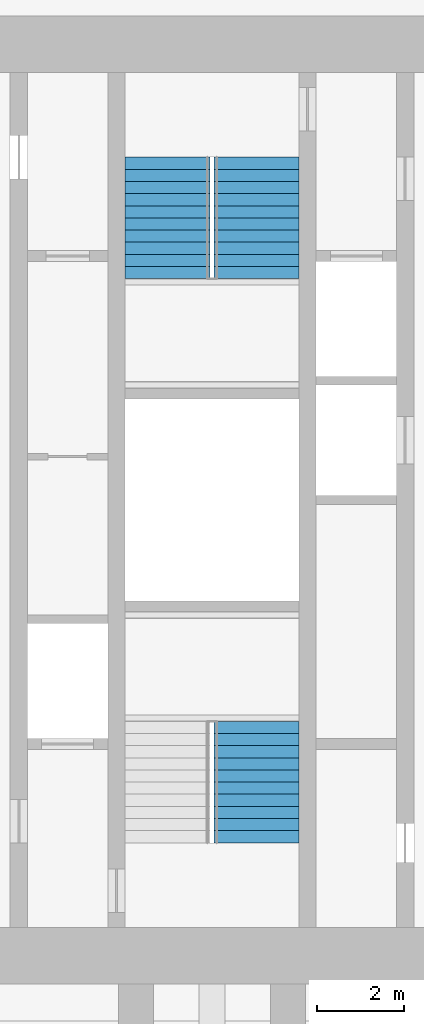
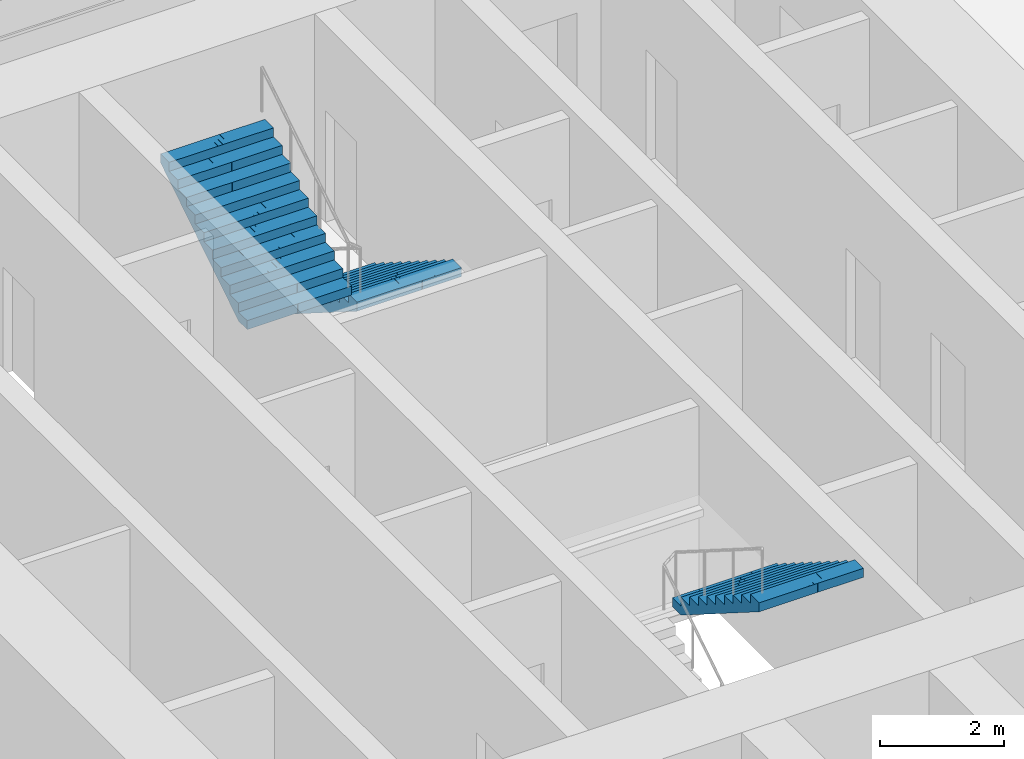
# One storey, part 14 of 15: 3 stair flights, 2 elements without a shape of their own.
"""IFC4 building model written with IfcOpenShell, lengths in metres."""

import ifcopenshell
import ifcopenshell.guid

model = None  # the IFC model being written
_history = None  # IfcOwnerHistory: only IFC2X3 demands one
_inside = {}  # id of a spatial element -> (the spatial element, [elements in it])
_under = {}  # id of a project, library or spatial element -> (it, [spatial elements below it])
_declared = {}  # id of a project -> (the project, [libraries it declares])
_typed = {}  # id of a type object -> (the type object, [elements of that type])
_made_of = {}  # id of a material, layer set ... -> (it, [elements and type objects made of it])


def new_model(schema):
    """Start an empty IFC model of exactly this schema.

    Asked for "IFC4X3", IfcOpenShell would pick the latest addendum, in which some entities
    have other attributes; the version numbers below select the first issue.
    IFC2X3 requires an IfcOwnerHistory on every rooted entity: one is made here for all.
    """
    global model, _history
    if schema == "IFC4X3":
        model = ifcopenshell.file(schema_version=(4, 3, 0, 0))
    else:
        model = ifcopenshell.file(schema=schema)
    _inside.clear()
    _under.clear()
    _declared.clear()
    _typed.clear()
    _made_of.clear()
    _history = None
    if model.schema == "IFC2X3":
        org = make("IfcOrganization", Name="unknown")
        user = make(
            "IfcPersonAndOrganization",
            ThePerson=make("IfcPerson", FamilyName="unknown"),
            TheOrganization=org,
        )
        app = make(
            "IfcApplication",
            ApplicationDeveloper=org,
            Version="unknown",
            ApplicationFullName="unknown",
            ApplicationIdentifier="unknown",
        )
        _history = make(
            "IfcOwnerHistory",
            OwningUser=user,
            OwningApplication=app,
            ChangeAction="ADDED",
            CreationDate=0,
        )
    return model


def make(cls, **values):
    """One entity of the class cls with the attributes given. An attribute that is None is left unset."""
    return model.create_entity(
        cls, **{name: value for name, value in values.items() if value is not None}
    )


def rooted(cls, **values):
    """An entity with a GlobalId (a new one), such as an element, a storey or a relation."""
    return make(cls, GlobalId=ifcopenshell.guid.new(), OwnerHistory=_history, **values)


def si_unit(unit_type, name, prefix=None):
    """IfcSIUnit, for example si_unit("LENGTHUNIT", "METRE", prefix="MILLI")."""
    return make("IfcSIUnit", UnitType=unit_type, Prefix=prefix, Name=name)


def assignment(units):
    """IfcUnitAssignment: the units of a project."""
    return None if units is None else make("IfcUnitAssignment", Units=units)


def point(xyz):
    """IfcCartesianPoint."""
    return None if xyz is None else make("IfcCartesianPoint", Coordinates=xyz)


def direction(xyz):
    """IfcDirection."""
    return None if xyz is None else make("IfcDirection", DirectionRatios=xyz)


def frame(location, z_axis=None, x_axis=None):
    """IfcAxis2Placement3D, a coordinate frame: its origin and axes. An axis left out is left unset."""
    return make(
        "IfcAxis2Placement3D",
        Location=point(location),
        Axis=direction(z_axis),
        RefDirection=direction(x_axis),
    )


def origin():
    """The frame at (0, 0, 0) with its axes left unset."""
    return frame((0.0, 0.0, 0.0))


def place(relative_to, where):
    """IfcLocalPlacement: puts the frame where relative to a parent placement (None: the world)."""
    return make(
        "IfcLocalPlacement", PlacementRelTo=relative_to, RelativePlacement=where
    )


def context(
    kind, dimensions, precision=None, world=None, true_north=None, identifier=None
):
    """IfcGeometricRepresentationContext, for example the 3D "Model" context."""
    return make(
        "IfcGeometricRepresentationContext",
        ContextIdentifier=identifier,
        ContextType=kind,
        CoordinateSpaceDimension=dimensions,
        Precision=precision,
        WorldCoordinateSystem=world,
        TrueNorth=true_north,
    )


def subcontext(parent, identifier, kind, view, scale=None):
    """IfcGeometricRepresentationSubContext, for example "Body" below "Model"."""
    return make(
        "IfcGeometricRepresentationSubContext",
        ContextIdentifier=identifier,
        ContextType=kind,
        ParentContext=parent,
        TargetScale=scale,
        TargetView=view,
    )


def project(units=None, contexts=None):
    """IfcProject with its units and contexts."""
    return rooted(
        "IfcProject",
        Name="project",
        RepresentationContexts=contexts,
        UnitsInContext=assignment(units),
    )


def spatial(cls, under=None, at=None, **own):
    """A site, building, storey or space (cls), placed at a placement, below another one or the project."""
    s = rooted(cls, ObjectPlacement=at, **own)
    if under is not None:
        _under.setdefault(under.id(), (under, []))[1].append(s)
    return s


def polyline(points):
    """IfcPolyline through the points."""
    return make("IfcPolyline", Points=[point(p) for p in points])


def outline(outer, holes=None, kind="AREA"):
    """IfcArbitraryClosedProfileDef: a profile drawn as a closed curve; with holes, ...WithVoids."""
    if holes is None:
        return make("IfcArbitraryClosedProfileDef", ProfileType=kind, OuterCurve=outer)
    return make(
        "IfcArbitraryProfileDefWithVoids",
        ProfileType=kind,
        OuterCurve=outer,
        InnerCurves=holes,
    )


def extrude(swept, where, along, depth):
    """IfcExtrudedAreaSolid: the profile swept, set in the frame where, extruded along a direction by depth."""
    return make(
        "IfcExtrudedAreaSolid",
        SweptArea=swept,
        Position=where,
        ExtrudedDirection=direction(along),
        Depth=depth,
    )


def shape(context_of_items, identifier, shape_type, items):
    """IfcShapeRepresentation: the items that make up one representation, for example the "Body"."""
    return make(
        "IfcShapeRepresentation",
        ContextOfItems=context_of_items,
        RepresentationIdentifier=identifier,
        RepresentationType=shape_type,
        Items=items,
    )


def material(Name=None, Category=None):
    """IfcMaterial."""
    return make("IfcMaterial", Name=Name, Category=Category)


def made_of(thing, what):
    """Note that an element or type object is made of a material, layer set ...; save() writes the relation."""
    if what is not None:
        _made_of.setdefault(what.id(), (what, []))[1].append(thing)
    return thing


def type_object(cls, material=None, **own):
    """A type object (cls), such as IfcWallType, which elements share."""
    return made_of(rooted(cls, **own), material)


def element(
    cls,
    number,
    at=None,
    inside=None,
    cuts=None,
    type_object=None,
    material=None,
    context=None,
    identifier="Body",
    shape_type=None,
    held_by="IfcProductDefinitionShape",
    body=None,
    shapes=None,
    **own,
):
    """One element of the class cls, such as IfcWall. Its Tag is "e" and its number.

    at: its placement. inside: the storey or other place that contains it. cuts: it is an
    opening in that element (IfcRelVoidsElement). A single representation is given by context,
    identifier, shape_type and body (its items); several are given by shapes. held_by: the class
    of the entity that holds the representations. save() writes the other relations.
    """
    e = rooted(cls, Tag="e%d" % number, ObjectPlacement=at, **own)
    if body is not None:
        shapes = [shape(context, identifier, shape_type, body)]
    if shapes is not None:
        e.Representation = make(held_by, Representations=shapes)
    if inside is not None:
        _inside.setdefault(inside.id(), (inside, []))[1].append(e)
    if cuts is not None:
        rooted(
            "IfcRelVoidsElement", RelatingBuildingElement=cuts, RelatedOpeningElement=e
        )
    if type_object is not None:
        _typed.setdefault(type_object.id(), (type_object, []))[1].append(e)
    return made_of(e, material)


def aggregate(whole, parts):
    """IfcRelAggregates: a whole, such as a stair, and the parts it consists of."""
    return rooted("IfcRelAggregates", RelatingObject=whole, RelatedObjects=parts)


def save(model, path):
    """Write the relations noted so far, then the file.

    IfcRelAggregates (storeys below a building ...), IfcRelContainedInSpatialStructure (elements
    in a storey), IfcRelDefinesByType, IfcRelAssociatesMaterial and IfcRelDeclares: one each for
    every whole, place, type object, material and project.
    """
    for whole, parts in _under.values():
        aggregate(whole, parts)
    for where, things in _inside.values():
        rooted(
            "IfcRelContainedInSpatialStructure",
            RelatedElements=things,
            RelatingStructure=where,
        )
    for kind, things in _typed.values():
        rooted("IfcRelDefinesByType", RelatedObjects=things, RelatingType=kind)
    for what, things in _made_of.values():
        rooted("IfcRelAssociatesMaterial", RelatedObjects=things, RelatingMaterial=what)
    for by, libraries in _declared.values():
        rooted("IfcRelDeclares", RelatingContext=by, RelatedDefinitions=libraries)
    model.write(path)


model = new_model("IFC4")

# Units and contexts
model_context = context("Model", 3, precision=1e-05, world=origin(), true_north=direction((0.0, 1.0)))
body_context = subcontext(model_context, "Body", "Model", "MODEL_VIEW")
ifc_project = project(units=[si_unit("LENGTHUNIT", "METRE"), si_unit("AREAUNIT", "SQUARE_METRE"), si_unit("VOLUMEUNIT", "CUBIC_METRE"), si_unit("PLANEANGLEUNIT", "RADIAN"), si_unit("MASSUNIT", "GRAM", prefix="KILO")], contexts=[model_context])

# Site, building, storey
site_placement = place(None, origin())
site = spatial("IfcSite", under=ifc_project, at=site_placement, CompositionType="ELEMENT")
building_placement = place(site_placement, origin())
building = spatial("IfcBuilding", under=site, at=building_placement, Name="Mizan Broadcast Tower", CompositionType="ELEMENT")
storey_placement = place(building_placement, frame((0.0, 0.0, 279.0)))
storey = spatial("IfcBuildingStorey", under=building, at=storey_placement, Name="L66", CompositionType="ELEMENT", Elevation=279.0)

# Stair, stair flight
ifc_material_1 = material(Name="Concrete C40/50", Category="concrete")
stair_type = type_object("IfcStairType", Name="EXIT STAIR", PredefinedType="HALF_TURN_STAIR", material=ifc_material_1)
stair_1_placement = place(storey_placement, origin())
stair_1 = element("IfcStair", 1, at=stair_1_placement, inside=storey, type_object=stair_type, Name="Stair A L66", PredefinedType="HALF_TURN_STAIR")
ifc_material_2 = material(Name="Concrete C40/50", Category="concrete")
stair_flight_type = type_object("IfcStairFlightType", Name="EXIT STAIR FLIGHT", PredefinedType="STRAIGHT", material=ifc_material_2)
stair_flight_1_placement = place(storey_placement, frame((1.02490234375, -5.10009765625, 1.949951171875), z_axis=(0.0, 0.0, 1.0), x_axis=(0.0, -1.0, 0.0)))
stair_flight_1 = element("IfcStairFlight", 2, at=stair_flight_1_placement, type_object=stair_flight_type, Name="A flight 2", NumberOfRisers=11, NumberOfTreads=10, PredefinedType="STRAIGHT", RiserHeight=0.177272727, TreadLength=0.28, context=body_context, shape_type="SweptSolid", body=[
    extrude(outline(polyline([(0.0, 0.0), (0.0, 0.17724609375), (0.280029296875, 0.17724609375), (0.280029296875, 0.3544921875), (0.56005859375, 0.3544921875), (0.56005859375, 0.53173828125), (0.840087890625, 0.53173828125), (0.840087890625, 0.708984375), (1.1201171875, 0.708984375), (1.1201171875, 0.886474609375), (1.39990234375, 0.886474609375), (1.39990234375, 1.063720703125), (1.679931640625, 1.063720703125), (1.679931640625, 1.240966796875), (1.9599609375, 1.240966796875), (1.9599609375, 1.418212890625), (2.239990234375, 1.418212890625), (2.239990234375, 1.595458984375), (2.52001953125, 1.595458984375), (2.52001953125, 1.772705078125), (2.800048828125, 1.772705078125), (2.800048828125, 1.949951171875), (2.800048828125, 1.59521484375), (0.2802734375, 0.0), (0.0, 0.0)])), frame((0.0, 0.97509765625, 0.0), z_axis=(0.0, -1.0, 0.0), x_axis=(1.0, 0.0, 0.0)), (0.0, 0.0, 1.0), 0.4873046875),
    extrude(outline(polyline([(0.0, 0.0), (0.0, 0.17724609375), (0.280029296875, 0.17724609375), (0.280029296875, 0.3544921875), (0.56005859375, 0.3544921875), (0.56005859375, 0.53173828125), (0.840087890625, 0.53173828125), (0.840087890625, 0.708984375), (1.1201171875, 0.708984375), (1.1201171875, 0.886474609375), (1.39990234375, 0.886474609375), (1.39990234375, 1.063720703125), (1.679931640625, 1.063720703125), (1.679931640625, 1.240966796875), (1.9599609375, 1.240966796875), (1.9599609375, 1.418212890625), (2.239990234375, 1.418212890625), (2.239990234375, 1.595458984375), (2.52001953125, 1.595458984375), (2.52001953125, 1.772705078125), (2.800048828125, 1.772705078125), (2.800048828125, 1.949951171875), (2.800048828125, 1.59521484375), (0.2802734375, 0.0), (0.0, 0.0)])), frame((0.0, 0.4873046875, 0.0), z_axis=(0.0, -1.0, 0.0), x_axis=(1.0, 0.0, 0.0)), (0.0, 0.0, 1.0), 0.2431640625),
    extrude(outline(polyline([(0.0, 0.0), (0.0, 0.17724609375), (0.280029296875, 0.17724609375), (0.280029296875, 0.3544921875), (0.56005859375, 0.3544921875), (0.56005859375, 0.53173828125), (0.840087890625, 0.53173828125), (0.840087890625, 0.708984375), (1.1201171875, 0.708984375), (1.1201171875, 0.886474609375), (1.39990234375, 0.886474609375), (1.39990234375, 1.063720703125), (1.679931640625, 1.063720703125), (1.679931640625, 1.240966796875), (1.9599609375, 1.240966796875), (1.9599609375, 1.418212890625), (2.239990234375, 1.418212890625), (2.239990234375, 1.595458984375), (2.52001953125, 1.595458984375), (2.52001953125, 1.772705078125), (2.800048828125, 1.772705078125), (2.800048828125, 1.949951171875), (2.800048828125, 1.59521484375), (0.2802734375, 0.0), (0.0, 0.0)])), frame((0.0, 0.24365234375, 0.0), z_axis=(0.0, -1.0, 0.0), x_axis=(1.0, 0.0, 0.0)), (0.0, 0.0, 1.0), 0.121337890625),
    extrude(outline(polyline([(0.0, 0.0), (0.0, 0.17724609375), (0.280029296875, 0.17724609375), (0.280029296875, 0.3544921875), (0.56005859375, 0.3544921875), (0.56005859375, 0.53173828125), (0.840087890625, 0.53173828125), (0.840087890625, 0.708984375), (1.1201171875, 0.708984375), (1.1201171875, 0.886474609375), (1.39990234375, 0.886474609375), (1.39990234375, 1.063720703125), (1.679931640625, 1.063720703125), (1.679931640625, 1.240966796875), (1.9599609375, 1.240966796875), (1.9599609375, 1.418212890625), (2.239990234375, 1.418212890625), (2.239990234375, 1.595458984375), (2.52001953125, 1.595458984375), (2.52001953125, 1.772705078125), (2.800048828125, 1.772705078125), (2.800048828125, 1.949951171875), (2.800048828125, 1.59521484375), (0.2802734375, 0.0), (0.0, 0.0)])), frame((0.0, 0.121826171875, 0.0), z_axis=(0.0, -1.0, 0.0), x_axis=(1.0, 0.0, 0.0)), (0.0, 0.0, 1.0), 0.060546875),
    extrude(outline(polyline([(0.0, 0.0), (0.0, 0.17724609375), (0.280029296875, 0.17724609375), (0.280029296875, 0.3544921875), (0.56005859375, 0.3544921875), (0.56005859375, 0.53173828125), (0.840087890625, 0.53173828125), (0.840087890625, 0.708984375), (1.1201171875, 0.708984375), (1.1201171875, 0.886474609375), (1.39990234375, 0.886474609375), (1.39990234375, 1.063720703125), (1.679931640625, 1.063720703125), (1.679931640625, 1.240966796875), (1.9599609375, 1.240966796875), (1.9599609375, 1.418212890625), (2.239990234375, 1.418212890625), (2.239990234375, 1.595458984375), (2.52001953125, 1.595458984375), (2.52001953125, 1.772705078125), (2.800048828125, 1.772705078125), (2.800048828125, 1.949951171875), (2.800048828125, 1.59521484375), (0.2802734375, 0.0), (0.0, 0.0)])), frame((0.0, 0.060791015625, 0.0), z_axis=(0.0, -1.0, 0.0), x_axis=(1.0, 0.0, 0.0)), (0.0, 0.0, 1.0), 0.030029296875),
    extrude(outline(polyline([(0.0, 0.0), (0.0, 0.17724609375), (0.280029296875, 0.17724609375), (0.280029296875, 0.3544921875), (0.56005859375, 0.3544921875), (0.56005859375, 0.53173828125), (0.840087890625, 0.53173828125), (0.840087890625, 0.708984375), (1.1201171875, 0.708984375), (1.1201171875, 0.886474609375), (1.39990234375, 0.886474609375), (1.39990234375, 1.063720703125), (1.679931640625, 1.063720703125), (1.679931640625, 1.240966796875), (1.9599609375, 1.240966796875), (1.9599609375, 1.418212890625), (2.239990234375, 1.418212890625), (2.239990234375, 1.595458984375), (2.52001953125, 1.595458984375), (2.52001953125, 1.772705078125), (2.800048828125, 1.772705078125), (2.800048828125, 1.949951171875), (2.800048828125, 1.59521484375), (0.2802734375, 0.0), (0.0, 0.0)])), frame((0.0, 0.0302734375, 0.0), z_axis=(0.0, -1.0, 0.0), x_axis=(1.0, 0.0, 0.0)), (0.0, 0.0, 1.0), 0.060302734375),
    extrude(outline(polyline([(0.0, 0.0), (0.0, 0.17724609375), (0.280029296875, 0.17724609375), (0.280029296875, 0.3544921875), (0.56005859375, 0.3544921875), (0.56005859375, 0.53173828125), (0.840087890625, 0.53173828125), (0.840087890625, 0.708984375), (1.1201171875, 0.708984375), (1.1201171875, 0.886474609375), (1.39990234375, 0.886474609375), (1.39990234375, 1.063720703125), (1.679931640625, 1.063720703125), (1.679931640625, 1.240966796875), (1.9599609375, 1.240966796875), (1.9599609375, 1.418212890625), (2.239990234375, 1.418212890625), (2.239990234375, 1.595458984375), (2.52001953125, 1.595458984375), (2.52001953125, 1.772705078125), (2.800048828125, 1.772705078125), (2.800048828125, 1.949951171875), (2.800048828125, 1.59521484375), (0.2802734375, 0.0), (0.0, 0.0)])), frame((0.0, -0.030517578125, 0.0), z_axis=(0.0, -1.0, 0.0), x_axis=(1.0, 0.0, 0.0)), (0.0, 0.0, 1.0), 0.030029296875),
    extrude(outline(polyline([(0.0, 0.0), (0.0, 0.17724609375), (0.280029296875, 0.17724609375), (0.280029296875, 0.3544921875), (0.56005859375, 0.3544921875), (0.56005859375, 0.53173828125), (0.840087890625, 0.53173828125), (0.840087890625, 0.708984375), (1.1201171875, 0.708984375), (1.1201171875, 0.886474609375), (1.39990234375, 0.886474609375), (1.39990234375, 1.063720703125), (1.679931640625, 1.063720703125), (1.679931640625, 1.240966796875), (1.9599609375, 1.240966796875), (1.9599609375, 1.418212890625), (2.239990234375, 1.418212890625), (2.239990234375, 1.595458984375), (2.52001953125, 1.595458984375), (2.52001953125, 1.772705078125), (2.800048828125, 1.772705078125), (2.800048828125, 1.949951171875), (2.800048828125, 1.59521484375), (0.2802734375, 0.0), (0.0, 0.0)])), frame((0.0, -0.06103515625, 0.0), z_axis=(0.0, -1.0, 0.0), x_axis=(1.0, 0.0, 0.0)), (0.0, 0.0, 1.0), 0.060546875),
    extrude(outline(polyline([(0.0, 0.0), (0.0, 0.17724609375), (0.280029296875, 0.17724609375), (0.280029296875, 0.3544921875), (0.56005859375, 0.3544921875), (0.56005859375, 0.53173828125), (0.840087890625, 0.53173828125), (0.840087890625, 0.708984375), (1.1201171875, 0.708984375), (1.1201171875, 0.886474609375), (1.39990234375, 0.886474609375), (1.39990234375, 1.063720703125), (1.679931640625, 1.063720703125), (1.679931640625, 1.240966796875), (1.9599609375, 1.240966796875), (1.9599609375, 1.418212890625), (2.239990234375, 1.418212890625), (2.239990234375, 1.595458984375), (2.52001953125, 1.595458984375), (2.52001953125, 1.772705078125), (2.800048828125, 1.772705078125), (2.800048828125, 1.949951171875), (2.800048828125, 1.59521484375), (0.2802734375, 0.0), (0.0, 0.0)])), frame((0.0, -0.1220703125, 0.0), z_axis=(0.0, -1.0, 0.0), x_axis=(1.0, 0.0, 0.0)), (0.0, 0.0, 1.0), 0.121337890625),
    extrude(outline(polyline([(0.0, 0.0), (0.0, 0.17724609375), (0.280029296875, 0.17724609375), (0.280029296875, 0.3544921875), (0.56005859375, 0.3544921875), (0.56005859375, 0.53173828125), (0.840087890625, 0.53173828125), (0.840087890625, 0.708984375), (1.1201171875, 0.708984375), (1.1201171875, 0.886474609375), (1.39990234375, 0.886474609375), (1.39990234375, 1.063720703125), (1.679931640625, 1.063720703125), (1.679931640625, 1.240966796875), (1.9599609375, 1.240966796875), (1.9599609375, 1.418212890625), (2.239990234375, 1.418212890625), (2.239990234375, 1.595458984375), (2.52001953125, 1.595458984375), (2.52001953125, 1.772705078125), (2.800048828125, 1.772705078125), (2.800048828125, 1.949951171875), (2.800048828125, 1.59521484375), (0.2802734375, 0.0), (0.0, 0.0)])), frame((0.0, -0.243896484375, 0.0), z_axis=(0.0, -1.0, 0.0), x_axis=(1.0, 0.0, 0.0)), (0.0, 0.0, 1.0), 0.2431640625),
    extrude(outline(polyline([(0.0, 0.0), (0.0, 0.17724609375), (0.280029296875, 0.17724609375), (0.280029296875, 0.3544921875), (0.56005859375, 0.3544921875), (0.56005859375, 0.53173828125), (0.840087890625, 0.53173828125), (0.840087890625, 0.708984375), (1.1201171875, 0.708984375), (1.1201171875, 0.886474609375), (1.39990234375, 0.886474609375), (1.39990234375, 1.063720703125), (1.679931640625, 1.063720703125), (1.679931640625, 1.240966796875), (1.9599609375, 1.240966796875), (1.9599609375, 1.418212890625), (2.239990234375, 1.418212890625), (2.239990234375, 1.595458984375), (2.52001953125, 1.595458984375), (2.52001953125, 1.772705078125), (2.800048828125, 1.772705078125), (2.800048828125, 1.949951171875), (2.800048828125, 1.59521484375), (0.2802734375, 0.0), (0.0, 0.0)])), frame((0.0, -0.487548828125, 0.0), z_axis=(0.0, -1.0, 0.0), x_axis=(1.0, 0.0, 0.0)), (0.0, 0.0, 1.0), 0.4873046875),
])
aggregate(stair_1, [stair_flight_1])

# Stair, stair flights
stair_2_placement = place(storey_placement, origin())
stair_2 = element("IfcStair", 3, at=stair_2_placement, inside=storey, type_object=stair_type, Name="Stair B L66", PredefinedType="HALF_TURN_STAIR")
stair_flight_2_placement = place(storey_placement, frame((1.02490234375, 7.89990234375, 0.0), z_axis=(0.0, 0.0, 1.0), x_axis=(0.0, -1.0, 0.0)))
stair_flight_2 = element("IfcStairFlight", 4, at=stair_flight_2_placement, type_object=stair_flight_type, Name="B flight 1", NumberOfRisers=11, NumberOfTreads=10, PredefinedType="STRAIGHT", RiserHeight=0.177272727, TreadLength=0.28, context=body_context, shape_type="SweptSolid", body=[
    extrude(outline(polyline([(0.0, 0.0), (0.0, 0.17724609375), (0.280029296875, 0.17724609375), (0.280029296875, 0.3544921875), (0.56005859375, 0.3544921875), (0.56005859375, 0.53173828125), (0.840087890625, 0.53173828125), (0.840087890625, 0.708984375), (1.1201171875, 0.708984375), (1.1201171875, 0.886474609375), (1.39990234375, 0.886474609375), (1.39990234375, 1.063720703125), (1.679931640625, 1.063720703125), (1.679931640625, 1.240966796875), (1.9599609375, 1.240966796875), (1.9599609375, 1.418212890625), (2.239990234375, 1.418212890625), (2.239990234375, 1.595458984375), (2.52001953125, 1.595458984375), (2.52001953125, 1.772705078125), (2.800048828125, 1.772705078125), (2.800048828125, 1.949951171875), (2.800048828125, 1.59521484375), (0.2802734375, 0.0), (0.0, 0.0)])), frame((0.0, 0.97509765625, 0.0), z_axis=(0.0, -1.0, 0.0), x_axis=(1.0, 0.0, 0.0)), (0.0, 0.0, 1.0), 0.4873046875),
    extrude(outline(polyline([(0.0, 0.0), (0.0, 0.17724609375), (0.280029296875, 0.17724609375), (0.280029296875, 0.3544921875), (0.56005859375, 0.3544921875), (0.56005859375, 0.53173828125), (0.840087890625, 0.53173828125), (0.840087890625, 0.708984375), (1.1201171875, 0.708984375), (1.1201171875, 0.886474609375), (1.39990234375, 0.886474609375), (1.39990234375, 1.063720703125), (1.679931640625, 1.063720703125), (1.679931640625, 1.240966796875), (1.9599609375, 1.240966796875), (1.9599609375, 1.418212890625), (2.239990234375, 1.418212890625), (2.239990234375, 1.595458984375), (2.52001953125, 1.595458984375), (2.52001953125, 1.772705078125), (2.800048828125, 1.772705078125), (2.800048828125, 1.949951171875), (2.800048828125, 1.59521484375), (0.2802734375, 0.0), (0.0, 0.0)])), frame((0.0, 0.4873046875, 0.0), z_axis=(0.0, -1.0, 0.0), x_axis=(1.0, 0.0, 0.0)), (0.0, 0.0, 1.0), 0.2431640625),
    extrude(outline(polyline([(0.0, 0.0), (0.0, 0.17724609375), (0.280029296875, 0.17724609375), (0.280029296875, 0.3544921875), (0.56005859375, 0.3544921875), (0.56005859375, 0.53173828125), (0.840087890625, 0.53173828125), (0.840087890625, 0.708984375), (1.1201171875, 0.708984375), (1.1201171875, 0.886474609375), (1.39990234375, 0.886474609375), (1.39990234375, 1.063720703125), (1.679931640625, 1.063720703125), (1.679931640625, 1.240966796875), (1.9599609375, 1.240966796875), (1.9599609375, 1.418212890625), (2.239990234375, 1.418212890625), (2.239990234375, 1.595458984375), (2.52001953125, 1.595458984375), (2.52001953125, 1.772705078125), (2.800048828125, 1.772705078125), (2.800048828125, 1.949951171875), (2.800048828125, 1.59521484375), (0.2802734375, 0.0), (0.0, 0.0)])), frame((0.0, 0.24365234375, 0.0), z_axis=(0.0, -1.0, 0.0), x_axis=(1.0, 0.0, 0.0)), (0.0, 0.0, 1.0), 0.121337890625),
    extrude(outline(polyline([(0.0, 0.0), (0.0, 0.17724609375), (0.280029296875, 0.17724609375), (0.280029296875, 0.3544921875), (0.56005859375, 0.3544921875), (0.56005859375, 0.53173828125), (0.840087890625, 0.53173828125), (0.840087890625, 0.708984375), (1.1201171875, 0.708984375), (1.1201171875, 0.886474609375), (1.39990234375, 0.886474609375), (1.39990234375, 1.063720703125), (1.679931640625, 1.063720703125), (1.679931640625, 1.240966796875), (1.9599609375, 1.240966796875), (1.9599609375, 1.418212890625), (2.239990234375, 1.418212890625), (2.239990234375, 1.595458984375), (2.52001953125, 1.595458984375), (2.52001953125, 1.772705078125), (2.800048828125, 1.772705078125), (2.800048828125, 1.949951171875), (2.800048828125, 1.59521484375), (0.2802734375, 0.0), (0.0, 0.0)])), frame((0.0, 0.121826171875, 0.0), z_axis=(0.0, -1.0, 0.0), x_axis=(1.0, 0.0, 0.0)), (0.0, 0.0, 1.0), 0.060546875),
    extrude(outline(polyline([(0.0, 0.0), (0.0, 0.17724609375), (0.280029296875, 0.17724609375), (0.280029296875, 0.3544921875), (0.56005859375, 0.3544921875), (0.56005859375, 0.53173828125), (0.840087890625, 0.53173828125), (0.840087890625, 0.708984375), (1.1201171875, 0.708984375), (1.1201171875, 0.886474609375), (1.39990234375, 0.886474609375), (1.39990234375, 1.063720703125), (1.679931640625, 1.063720703125), (1.679931640625, 1.240966796875), (1.9599609375, 1.240966796875), (1.9599609375, 1.418212890625), (2.239990234375, 1.418212890625), (2.239990234375, 1.595458984375), (2.52001953125, 1.595458984375), (2.52001953125, 1.772705078125), (2.800048828125, 1.772705078125), (2.800048828125, 1.949951171875), (2.800048828125, 1.59521484375), (0.2802734375, 0.0), (0.0, 0.0)])), frame((0.0, 0.060791015625, 0.0), z_axis=(0.0, -1.0, 0.0), x_axis=(1.0, 0.0, 0.0)), (0.0, 0.0, 1.0), 0.030029296875),
    extrude(outline(polyline([(0.0, 0.0), (0.0, 0.17724609375), (0.280029296875, 0.17724609375), (0.280029296875, 0.3544921875), (0.56005859375, 0.3544921875), (0.56005859375, 0.53173828125), (0.840087890625, 0.53173828125), (0.840087890625, 0.708984375), (1.1201171875, 0.708984375), (1.1201171875, 0.886474609375), (1.39990234375, 0.886474609375), (1.39990234375, 1.063720703125), (1.679931640625, 1.063720703125), (1.679931640625, 1.240966796875), (1.9599609375, 1.240966796875), (1.9599609375, 1.418212890625), (2.239990234375, 1.418212890625), (2.239990234375, 1.595458984375), (2.52001953125, 1.595458984375), (2.52001953125, 1.772705078125), (2.800048828125, 1.772705078125), (2.800048828125, 1.949951171875), (2.800048828125, 1.59521484375), (0.2802734375, 0.0), (0.0, 0.0)])), frame((0.0, 0.0302734375, 0.0), z_axis=(0.0, -1.0, 0.0), x_axis=(1.0, 0.0, 0.0)), (0.0, 0.0, 1.0), 0.060302734375),
    extrude(outline(polyline([(0.0, 0.0), (0.0, 0.17724609375), (0.280029296875, 0.17724609375), (0.280029296875, 0.3544921875), (0.56005859375, 0.3544921875), (0.56005859375, 0.53173828125), (0.840087890625, 0.53173828125), (0.840087890625, 0.708984375), (1.1201171875, 0.708984375), (1.1201171875, 0.886474609375), (1.39990234375, 0.886474609375), (1.39990234375, 1.063720703125), (1.679931640625, 1.063720703125), (1.679931640625, 1.240966796875), (1.9599609375, 1.240966796875), (1.9599609375, 1.418212890625), (2.239990234375, 1.418212890625), (2.239990234375, 1.595458984375), (2.52001953125, 1.595458984375), (2.52001953125, 1.772705078125), (2.800048828125, 1.772705078125), (2.800048828125, 1.949951171875), (2.800048828125, 1.59521484375), (0.2802734375, 0.0), (0.0, 0.0)])), frame((0.0, -0.030517578125, 0.0), z_axis=(0.0, -1.0, 0.0), x_axis=(1.0, 0.0, 0.0)), (0.0, 0.0, 1.0), 0.030029296875),
    extrude(outline(polyline([(0.0, 0.0), (0.0, 0.17724609375), (0.280029296875, 0.17724609375), (0.280029296875, 0.3544921875), (0.56005859375, 0.3544921875), (0.56005859375, 0.53173828125), (0.840087890625, 0.53173828125), (0.840087890625, 0.708984375), (1.1201171875, 0.708984375), (1.1201171875, 0.886474609375), (1.39990234375, 0.886474609375), (1.39990234375, 1.063720703125), (1.679931640625, 1.063720703125), (1.679931640625, 1.240966796875), (1.9599609375, 1.240966796875), (1.9599609375, 1.418212890625), (2.239990234375, 1.418212890625), (2.239990234375, 1.595458984375), (2.52001953125, 1.595458984375), (2.52001953125, 1.772705078125), (2.800048828125, 1.772705078125), (2.800048828125, 1.949951171875), (2.800048828125, 1.59521484375), (0.2802734375, 0.0), (0.0, 0.0)])), frame((0.0, -0.06103515625, 0.0), z_axis=(0.0, -1.0, 0.0), x_axis=(1.0, 0.0, 0.0)), (0.0, 0.0, 1.0), 0.060546875),
    extrude(outline(polyline([(0.0, 0.0), (0.0, 0.17724609375), (0.280029296875, 0.17724609375), (0.280029296875, 0.3544921875), (0.56005859375, 0.3544921875), (0.56005859375, 0.53173828125), (0.840087890625, 0.53173828125), (0.840087890625, 0.708984375), (1.1201171875, 0.708984375), (1.1201171875, 0.886474609375), (1.39990234375, 0.886474609375), (1.39990234375, 1.063720703125), (1.679931640625, 1.063720703125), (1.679931640625, 1.240966796875), (1.9599609375, 1.240966796875), (1.9599609375, 1.418212890625), (2.239990234375, 1.418212890625), (2.239990234375, 1.595458984375), (2.52001953125, 1.595458984375), (2.52001953125, 1.772705078125), (2.800048828125, 1.772705078125), (2.800048828125, 1.949951171875), (2.800048828125, 1.59521484375), (0.2802734375, 0.0), (0.0, 0.0)])), frame((0.0, -0.1220703125, 0.0), z_axis=(0.0, -1.0, 0.0), x_axis=(1.0, 0.0, 0.0)), (0.0, 0.0, 1.0), 0.121337890625),
    extrude(outline(polyline([(0.0, 0.0), (0.0, 0.17724609375), (0.280029296875, 0.17724609375), (0.280029296875, 0.3544921875), (0.56005859375, 0.3544921875), (0.56005859375, 0.53173828125), (0.840087890625, 0.53173828125), (0.840087890625, 0.708984375), (1.1201171875, 0.708984375), (1.1201171875, 0.886474609375), (1.39990234375, 0.886474609375), (1.39990234375, 1.063720703125), (1.679931640625, 1.063720703125), (1.679931640625, 1.240966796875), (1.9599609375, 1.240966796875), (1.9599609375, 1.418212890625), (2.239990234375, 1.418212890625), (2.239990234375, 1.595458984375), (2.52001953125, 1.595458984375), (2.52001953125, 1.772705078125), (2.800048828125, 1.772705078125), (2.800048828125, 1.949951171875), (2.800048828125, 1.59521484375), (0.2802734375, 0.0), (0.0, 0.0)])), frame((0.0, -0.243896484375, 0.0), z_axis=(0.0, -1.0, 0.0), x_axis=(1.0, 0.0, 0.0)), (0.0, 0.0, 1.0), 0.2431640625),
    extrude(outline(polyline([(0.0, 0.0), (0.0, 0.17724609375), (0.280029296875, 0.17724609375), (0.280029296875, 0.3544921875), (0.56005859375, 0.3544921875), (0.56005859375, 0.53173828125), (0.840087890625, 0.53173828125), (0.840087890625, 0.708984375), (1.1201171875, 0.708984375), (1.1201171875, 0.886474609375), (1.39990234375, 0.886474609375), (1.39990234375, 1.063720703125), (1.679931640625, 1.063720703125), (1.679931640625, 1.240966796875), (1.9599609375, 1.240966796875), (1.9599609375, 1.418212890625), (2.239990234375, 1.418212890625), (2.239990234375, 1.595458984375), (2.52001953125, 1.595458984375), (2.52001953125, 1.772705078125), (2.800048828125, 1.772705078125), (2.800048828125, 1.949951171875), (2.800048828125, 1.59521484375), (0.2802734375, 0.0), (0.0, 0.0)])), frame((0.0, -0.487548828125, 0.0), z_axis=(0.0, -1.0, 0.0), x_axis=(1.0, 0.0, 0.0)), (0.0, 0.0, 1.0), 0.4873046875),
])
stair_flight_3_placement = place(storey_placement, frame((-1.02490234375, 5.10009765625, 1.949951171875), z_axis=(0.0, 0.0, 1.0), x_axis=(0.0, 1.0, 0.0)))
stair_flight_3 = element("IfcStairFlight", 5, at=stair_flight_3_placement, type_object=stair_flight_type, Name="B flight 2", NumberOfRisers=11, NumberOfTreads=10, PredefinedType="STRAIGHT", RiserHeight=0.177272727, TreadLength=0.28, context=body_context, shape_type="SweptSolid", body=[
    extrude(outline(polyline([(0.0, 0.0), (0.0, 0.17724609375), (0.280029296875, 0.17724609375), (0.280029296875, 0.3544921875), (0.56005859375, 0.3544921875), (0.56005859375, 0.53173828125), (0.840087890625, 0.53173828125), (0.840087890625, 0.708984375), (1.1201171875, 0.708984375), (1.1201171875, 0.886474609375), (1.39990234375, 0.886474609375), (1.39990234375, 1.063720703125), (1.679931640625, 1.063720703125), (1.679931640625, 1.240966796875), (1.9599609375, 1.240966796875), (1.9599609375, 1.418212890625), (2.239990234375, 1.418212890625), (2.239990234375, 1.595458984375), (2.52001953125, 1.595458984375), (2.52001953125, 1.772705078125), (2.800048828125, 1.772705078125), (2.800048828125, 1.949951171875), (2.800048828125, 1.59521484375), (0.2802734375, 0.0), (0.0, 0.0)])), frame((0.0, 0.97509765625, 0.0), z_axis=(0.0, -1.0, 0.0), x_axis=(1.0, 0.0, 0.0)), (0.0, 0.0, 1.0), 0.4873046875),
    extrude(outline(polyline([(0.0, 0.0), (0.0, 0.17724609375), (0.280029296875, 0.17724609375), (0.280029296875, 0.3544921875), (0.56005859375, 0.3544921875), (0.56005859375, 0.53173828125), (0.840087890625, 0.53173828125), (0.840087890625, 0.708984375), (1.1201171875, 0.708984375), (1.1201171875, 0.886474609375), (1.39990234375, 0.886474609375), (1.39990234375, 1.063720703125), (1.679931640625, 1.063720703125), (1.679931640625, 1.240966796875), (1.9599609375, 1.240966796875), (1.9599609375, 1.418212890625), (2.239990234375, 1.418212890625), (2.239990234375, 1.595458984375), (2.52001953125, 1.595458984375), (2.52001953125, 1.772705078125), (2.800048828125, 1.772705078125), (2.800048828125, 1.949951171875), (2.800048828125, 1.59521484375), (0.2802734375, 0.0), (0.0, 0.0)])), frame((0.0, 0.4873046875, 0.0), z_axis=(0.0, -1.0, 0.0), x_axis=(1.0, 0.0, 0.0)), (0.0, 0.0, 1.0), 0.2431640625),
    extrude(outline(polyline([(0.0, 0.0), (0.0, 0.17724609375), (0.280029296875, 0.17724609375), (0.280029296875, 0.3544921875), (0.56005859375, 0.3544921875), (0.56005859375, 0.53173828125), (0.840087890625, 0.53173828125), (0.840087890625, 0.708984375), (1.1201171875, 0.708984375), (1.1201171875, 0.886474609375), (1.39990234375, 0.886474609375), (1.39990234375, 1.063720703125), (1.679931640625, 1.063720703125), (1.679931640625, 1.240966796875), (1.9599609375, 1.240966796875), (1.9599609375, 1.418212890625), (2.239990234375, 1.418212890625), (2.239990234375, 1.595458984375), (2.52001953125, 1.595458984375), (2.52001953125, 1.772705078125), (2.800048828125, 1.772705078125), (2.800048828125, 1.949951171875), (2.800048828125, 1.59521484375), (0.2802734375, 0.0), (0.0, 0.0)])), frame((0.0, 0.24365234375, 0.0), z_axis=(0.0, -1.0, 0.0), x_axis=(1.0, 0.0, 0.0)), (0.0, 0.0, 1.0), 0.121337890625),
    extrude(outline(polyline([(0.0, 0.0), (0.0, 0.17724609375), (0.280029296875, 0.17724609375), (0.280029296875, 0.3544921875), (0.56005859375, 0.3544921875), (0.56005859375, 0.53173828125), (0.840087890625, 0.53173828125), (0.840087890625, 0.708984375), (1.1201171875, 0.708984375), (1.1201171875, 0.886474609375), (1.39990234375, 0.886474609375), (1.39990234375, 1.063720703125), (1.679931640625, 1.063720703125), (1.679931640625, 1.240966796875), (1.9599609375, 1.240966796875), (1.9599609375, 1.418212890625), (2.239990234375, 1.418212890625), (2.239990234375, 1.595458984375), (2.52001953125, 1.595458984375), (2.52001953125, 1.772705078125), (2.800048828125, 1.772705078125), (2.800048828125, 1.949951171875), (2.800048828125, 1.59521484375), (0.2802734375, 0.0), (0.0, 0.0)])), frame((0.0, 0.121826171875, 0.0), z_axis=(0.0, -1.0, 0.0), x_axis=(1.0, 0.0, 0.0)), (0.0, 0.0, 1.0), 0.060546875),
    extrude(outline(polyline([(0.0, 0.0), (0.0, 0.17724609375), (0.280029296875, 0.17724609375), (0.280029296875, 0.3544921875), (0.56005859375, 0.3544921875), (0.56005859375, 0.53173828125), (0.840087890625, 0.53173828125), (0.840087890625, 0.708984375), (1.1201171875, 0.708984375), (1.1201171875, 0.886474609375), (1.39990234375, 0.886474609375), (1.39990234375, 1.063720703125), (1.679931640625, 1.063720703125), (1.679931640625, 1.240966796875), (1.9599609375, 1.240966796875), (1.9599609375, 1.418212890625), (2.239990234375, 1.418212890625), (2.239990234375, 1.595458984375), (2.52001953125, 1.595458984375), (2.52001953125, 1.772705078125), (2.800048828125, 1.772705078125), (2.800048828125, 1.949951171875), (2.800048828125, 1.59521484375), (0.2802734375, 0.0), (0.0, 0.0)])), frame((0.0, 0.060791015625, 0.0), z_axis=(0.0, -1.0, 0.0), x_axis=(1.0, 0.0, 0.0)), (0.0, 0.0, 1.0), 0.030029296875),
    extrude(outline(polyline([(0.0, 0.0), (0.0, 0.17724609375), (0.280029296875, 0.17724609375), (0.280029296875, 0.3544921875), (0.56005859375, 0.3544921875), (0.56005859375, 0.53173828125), (0.840087890625, 0.53173828125), (0.840087890625, 0.708984375), (1.1201171875, 0.708984375), (1.1201171875, 0.886474609375), (1.39990234375, 0.886474609375), (1.39990234375, 1.063720703125), (1.679931640625, 1.063720703125), (1.679931640625, 1.240966796875), (1.9599609375, 1.240966796875), (1.9599609375, 1.418212890625), (2.239990234375, 1.418212890625), (2.239990234375, 1.595458984375), (2.52001953125, 1.595458984375), (2.52001953125, 1.772705078125), (2.800048828125, 1.772705078125), (2.800048828125, 1.949951171875), (2.800048828125, 1.59521484375), (0.2802734375, 0.0), (0.0, 0.0)])), frame((0.0, 0.0302734375, 0.0), z_axis=(0.0, -1.0, 0.0), x_axis=(1.0, 0.0, 0.0)), (0.0, 0.0, 1.0), 0.060302734375),
    extrude(outline(polyline([(0.0, 0.0), (0.0, 0.17724609375), (0.280029296875, 0.17724609375), (0.280029296875, 0.3544921875), (0.56005859375, 0.3544921875), (0.56005859375, 0.53173828125), (0.840087890625, 0.53173828125), (0.840087890625, 0.708984375), (1.1201171875, 0.708984375), (1.1201171875, 0.886474609375), (1.39990234375, 0.886474609375), (1.39990234375, 1.063720703125), (1.679931640625, 1.063720703125), (1.679931640625, 1.240966796875), (1.9599609375, 1.240966796875), (1.9599609375, 1.418212890625), (2.239990234375, 1.418212890625), (2.239990234375, 1.595458984375), (2.52001953125, 1.595458984375), (2.52001953125, 1.772705078125), (2.800048828125, 1.772705078125), (2.800048828125, 1.949951171875), (2.800048828125, 1.59521484375), (0.2802734375, 0.0), (0.0, 0.0)])), frame((0.0, -0.030517578125, 0.0), z_axis=(0.0, -1.0, 0.0), x_axis=(1.0, 0.0, 0.0)), (0.0, 0.0, 1.0), 0.030029296875),
    extrude(outline(polyline([(0.0, 0.0), (0.0, 0.17724609375), (0.280029296875, 0.17724609375), (0.280029296875, 0.3544921875), (0.56005859375, 0.3544921875), (0.56005859375, 0.53173828125), (0.840087890625, 0.53173828125), (0.840087890625, 0.708984375), (1.1201171875, 0.708984375), (1.1201171875, 0.886474609375), (1.39990234375, 0.886474609375), (1.39990234375, 1.063720703125), (1.679931640625, 1.063720703125), (1.679931640625, 1.240966796875), (1.9599609375, 1.240966796875), (1.9599609375, 1.418212890625), (2.239990234375, 1.418212890625), (2.239990234375, 1.595458984375), (2.52001953125, 1.595458984375), (2.52001953125, 1.772705078125), (2.800048828125, 1.772705078125), (2.800048828125, 1.949951171875), (2.800048828125, 1.59521484375), (0.2802734375, 0.0), (0.0, 0.0)])), frame((0.0, -0.06103515625, 0.0), z_axis=(0.0, -1.0, 0.0), x_axis=(1.0, 0.0, 0.0)), (0.0, 0.0, 1.0), 0.060546875),
    extrude(outline(polyline([(0.0, 0.0), (0.0, 0.17724609375), (0.280029296875, 0.17724609375), (0.280029296875, 0.3544921875), (0.56005859375, 0.3544921875), (0.56005859375, 0.53173828125), (0.840087890625, 0.53173828125), (0.840087890625, 0.708984375), (1.1201171875, 0.708984375), (1.1201171875, 0.886474609375), (1.39990234375, 0.886474609375), (1.39990234375, 1.063720703125), (1.679931640625, 1.063720703125), (1.679931640625, 1.240966796875), (1.9599609375, 1.240966796875), (1.9599609375, 1.418212890625), (2.239990234375, 1.418212890625), (2.239990234375, 1.595458984375), (2.52001953125, 1.595458984375), (2.52001953125, 1.772705078125), (2.800048828125, 1.772705078125), (2.800048828125, 1.949951171875), (2.800048828125, 1.59521484375), (0.2802734375, 0.0), (0.0, 0.0)])), frame((0.0, -0.1220703125, 0.0), z_axis=(0.0, -1.0, 0.0), x_axis=(1.0, 0.0, 0.0)), (0.0, 0.0, 1.0), 0.121337890625),
    extrude(outline(polyline([(0.0, 0.0), (0.0, 0.17724609375), (0.280029296875, 0.17724609375), (0.280029296875, 0.3544921875), (0.56005859375, 0.3544921875), (0.56005859375, 0.53173828125), (0.840087890625, 0.53173828125), (0.840087890625, 0.708984375), (1.1201171875, 0.708984375), (1.1201171875, 0.886474609375), (1.39990234375, 0.886474609375), (1.39990234375, 1.063720703125), (1.679931640625, 1.063720703125), (1.679931640625, 1.240966796875), (1.9599609375, 1.240966796875), (1.9599609375, 1.418212890625), (2.239990234375, 1.418212890625), (2.239990234375, 1.595458984375), (2.52001953125, 1.595458984375), (2.52001953125, 1.772705078125), (2.800048828125, 1.772705078125), (2.800048828125, 1.949951171875), (2.800048828125, 1.59521484375), (0.2802734375, 0.0), (0.0, 0.0)])), frame((0.0, -0.243896484375, 0.0), z_axis=(0.0, -1.0, 0.0), x_axis=(1.0, 0.0, 0.0)), (0.0, 0.0, 1.0), 0.2431640625),
    extrude(outline(polyline([(0.0, 0.0), (0.0, 0.17724609375), (0.280029296875, 0.17724609375), (0.280029296875, 0.3544921875), (0.56005859375, 0.3544921875), (0.56005859375, 0.53173828125), (0.840087890625, 0.53173828125), (0.840087890625, 0.708984375), (1.1201171875, 0.708984375), (1.1201171875, 0.886474609375), (1.39990234375, 0.886474609375), (1.39990234375, 1.063720703125), (1.679931640625, 1.063720703125), (1.679931640625, 1.240966796875), (1.9599609375, 1.240966796875), (1.9599609375, 1.418212890625), (2.239990234375, 1.418212890625), (2.239990234375, 1.595458984375), (2.52001953125, 1.595458984375), (2.52001953125, 1.772705078125), (2.800048828125, 1.772705078125), (2.800048828125, 1.949951171875), (2.800048828125, 1.59521484375), (0.2802734375, 0.0), (0.0, 0.0)])), frame((0.0, -0.487548828125, 0.0), z_axis=(0.0, -1.0, 0.0), x_axis=(1.0, 0.0, 0.0)), (0.0, 0.0, 1.0), 0.4873046875),
])
aggregate(stair_2, [stair_flight_2, stair_flight_3])

save(model, "model.ifc")
